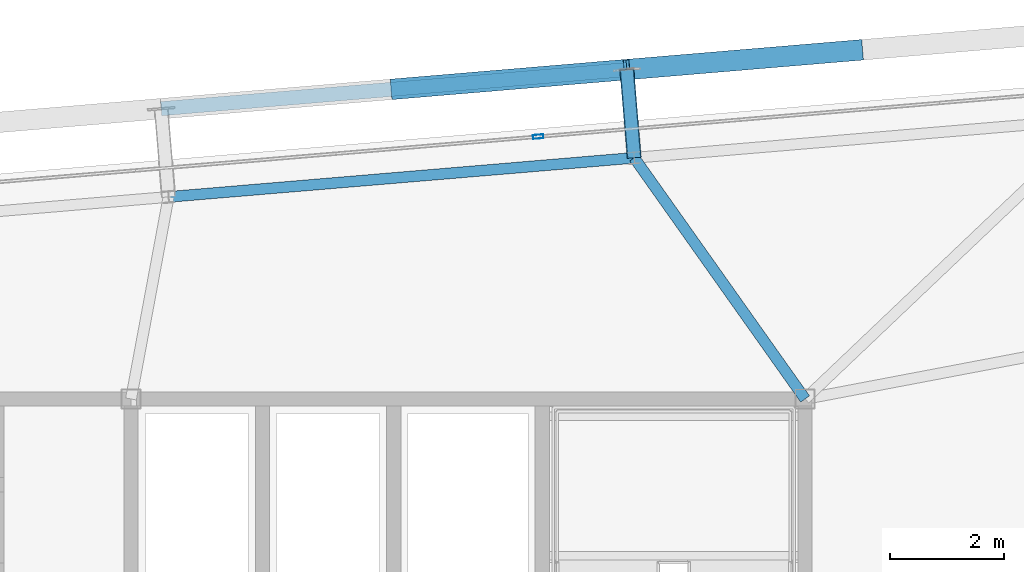
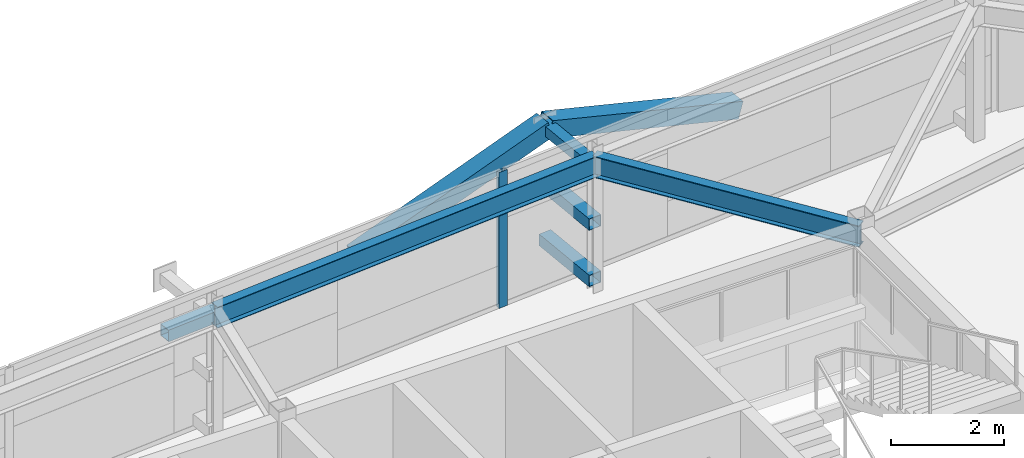
# One storey, part 24 of 37: 7 members, 2 beams, 1 element without a shape of its own.
"""IFC4 building model written with IfcOpenShell, lengths in metres."""

from ifc_helpers import new_model, si_unit, direction, frame, origin, origin_2d, place, context, subcontext, project, spatial, hollow_rectangle, i_section, extrude, source, transform, mapped, material, layer, layer_set, material_profile, profile_set, type_object, element, aggregate, save


model = new_model("IFC4")

# Units and contexts
model_context = context("Model", 3, precision=1e-05, world=origin(), true_north=direction((0.0, 1.0)))
body_context = subcontext(model_context, "Body", "Model", "MODEL_VIEW")
ifc_project = project(units=[si_unit("LENGTHUNIT", "METRE"), si_unit("AREAUNIT", "SQUARE_METRE"), si_unit("VOLUMEUNIT", "CUBIC_METRE"), si_unit("PLANEANGLEUNIT", "RADIAN"), si_unit("MASSUNIT", "GRAM", prefix="KILO")], contexts=[model_context])

# Site, building, storey
site_placement = place(None, origin())
site = spatial("IfcSite", under=ifc_project, at=site_placement, CompositionType="ELEMENT")
building_placement = place(site_placement, origin())
building = spatial("IfcBuilding", under=site, at=building_placement, Name="Taldren Reach Tower", CompositionType="ELEMENT")
storey_placement = place(building_placement, frame((0.0, 0.0, 200.89990234375)))
storey = spatial("IfcBuildingStorey", under=building, at=storey_placement, Name="L61", CompositionType="ELEMENT", Elevation=200.89990234375)

# Members
ifc_material_1 = material(Name="Steel Gr 350 (C350L0)", Category="steel")
ifc_material_profile_1 = material_profile(ifc_material_1, hollow_rectangle(XDim=0.25, YDim=0.25, WallThickness=0.010009765625, at=origin_2d()), Name="250x250x10.0SHS")
ifc_profile_set_1 = profile_set([ifc_material_profile_1], Name="Steel Gr 350 (C350L0)")
member_type_1 = type_object("IfcMemberType", Name="MB-POST250", PredefinedType="POST", material=ifc_profile_set_1)
shared_shape_1 = source(origin(), body_context, "Body", "SweptSolid", [
    extrude(hollow_rectangle(XDim=0.25, YDim=0.25, WallThickness=0.010009765625, at=origin_2d()), origin(), (0.0, 0.0, 1.0), 1.550048828125),
])
for number, where, z_axis, x_axis, name in (
    (1, (48.009033203125, 36.221435546875, 0.22021484375), (-0.083632013783, 0.996496706603, 0.0), (-0.996496706603, -0.083632013783, 0.0), "Exoskeleton base diaphragm tie strut B4-N5 L61"),
    (2, (48.009033203125, 36.221435546875, 1.43505859375), (-0.083632013783, 0.996496706603, 0.0), (-0.996496706603, -0.083632013783, 0.0), "Exoskeleton mid-tier diaphragm tie B4-N5 L61"),
):
    element("IfcMember", number, at=place(storey_placement, frame(where, z_axis=z_axis, x_axis=x_axis)), inside=storey, type_object=member_type_1, Name=name, PredefinedType="POST", context=body_context, shape_type="MappedRepresentation", body=[
        mapped(shared_shape_1, transform((0.0, 0.0, 0.0), scale=1.0)),
    ])

# Beams
ifc_material_2 = material(Name="Steel Gr 350 (350PLUS)", Category="steel")
ifc_material_profile_2 = material_profile(ifc_material_2, i_section(OverallWidth=0.18994140625, OverallDepth=0.4541015625, WebThickness=0.008544921875, FlangeThickness=0.0126953125, at=origin_2d()), Name="460UB67.1")
ifc_profile_set_2 = profile_set([ifc_material_profile_2], Name="Steel Gr 350 (350PLUS)")
beam_type_1 = type_object("IfcBeamType", Name="SP-UB460B", PredefinedType="SPANDREL", material=ifc_profile_set_2)
shared_shape_2 = source(origin(), body_context, "Body", "SweptSolid", [
    extrude(i_section(OverallWidth=0.18994140625, OverallDepth=0.4541015625, WebThickness=0.008544921875, FlangeThickness=0.0126953125, at=origin_2d()), origin(), (0.0, 0.0, 1.0), 8.179931640625),
])
beam_1_placement = place(storey_placement, frame((48.009033203125, 36.221435546875, 2.703125), z_axis=(-0.996494523218, -0.083658025296, 0.0), x_axis=(0.083658025296, -0.996494523218, 0.0)))
element("IfcBeam", 3, at=beam_1_placement, inside=storey, type_object=beam_type_1, Name="Perimeter spandrel B4 N5-N4 L61", PredefinedType="SPANDREL", context=body_context, shape_type="MappedRepresentation", body=[
    mapped(shared_shape_2, transform((0.0, 0.0, 0.0), scale=1.0)),
])
ifc_material_profile_3 = material_profile(ifc_material_2, i_section(OverallWidth=0.19091796875, OverallDepth=0.4599609375, WebThickness=0.010009765625, FlangeThickness=0.01611328125, at=origin_2d()), Name="460UB82.1")
ifc_profile_set_3 = profile_set([ifc_material_profile_3], Name="Steel Gr 350 (350PLUS)")
beam_type_2 = type_object("IfcBeamType", Name="BM-UB460A", PredefinedType="BEAM", material=ifc_profile_set_3)
shared_shape_3 = source(origin(), body_context, "Body", "SweptSolid", [
    extrude(i_section(OverallWidth=0.19091796875, OverallDepth=0.4599609375, WebThickness=0.010009765625, FlangeThickness=0.01611328125, at=origin_2d()), origin(), (0.0, 0.0, 1.0), 5.173583984375),
])
beam_2_placement = place(storey_placement, frame((51.0, 32.0, 2.7001953125), z_axis=(-0.578118152709, 0.8159530633, 0.0), x_axis=(-0.8159530633, -0.578118152709, 0.0)))
element("IfcBeam", 4, at=beam_2_placement, inside=storey, type_object=beam_type_2, Name="Primary floor girder B4-N5 L61", PredefinedType="BEAM", context=body_context, shape_type="MappedRepresentation", body=[
    mapped(shared_shape_3, transform((0.0, 0.0, 0.0), scale=1.0)),
])

# Members
ifc_material_3 = material(Name="Steel Gr 450 (C450L0)", Category="steel")
ifc_material_profile_4 = material_profile(ifc_material_3, hollow_rectangle(XDim=0.219970703125, YDim=0.219970703125, WallThickness=0.00830078125, at=origin_2d()), Name="220x220x8.2SHS")
ifc_profile_set_4 = profile_set([ifc_material_profile_4], Name="Steel Gr 450 (C450L0)")
member_type_2 = type_object("IfcMemberType", Name="MB-TIE219", PredefinedType="STRUT", material=ifc_profile_set_4)
shared_shape_4 = source(origin(), body_context, "Body", "SweptSolid", [
    extrude(hollow_rectangle(XDim=0.219970703125, YDim=0.219970703125, WallThickness=0.00830078125, at=origin_2d()), origin(), (0.0, 0.0, 1.0), 1.550048828125),
])
member_1_placement = place(storey_placement, frame((48.009033203125, 36.221435546875, 2.650146484375), z_axis=(-0.083632013783, 0.996496706603, 0.0), x_axis=(-0.996496706603, -0.083632013783, 0.0)))
element("IfcMember", 5, at=member_1_placement, inside=storey, type_object=member_type_2, Name="Exoskeleton diaphragm tie strut B4-N5 L61", PredefinedType="STRUT", context=body_context, shape_type="MappedRepresentation", body=[
    mapped(shared_shape_4, transform((0.0, 0.0, 0.0), scale=1.0)),
])
shared_shape_5 = source(origin(), body_context, "Body", "SweptSolid", [
    extrude(hollow_rectangle(XDim=0.25, YDim=0.25, WallThickness=0.010009765625, at=origin_2d()), origin(), (0.0, 0.0, 1.0), 8.18017578125),
])
member_2_placement = place(storey_placement, frame((39.72802734375, 37.08154296875, 1.43505859375), z_axis=(0.996492034688, 0.083687662192, 0.0), x_axis=(-0.083687662192, 0.996492034688, 0.0)))
element("IfcMember", 6, at=member_2_placement, inside=storey, type_object=member_type_1, Name="Exoskeleton mid-height ring chord B4-N4 L61", PredefinedType="POST", context=body_context, shape_type="MappedRepresentation", body=[
    mapped(shared_shape_5, transform((0.0, 0.0, 0.0), scale=1.0)),
])
ifc_material_profile_5 = material_profile(ifc_material_3, hollow_rectangle(XDim=0.360107421875, YDim=0.360107421875, WallThickness=0.0126953125, at=origin_2d()), Name="360x360x12.7SHS")
ifc_profile_set_5 = profile_set([ifc_material_profile_5], Name="Steel Gr 450 (C450L0)")
member_type_3 = type_object("IfcMemberType", Name="MB-EXO356", PredefinedType="BRACE", material=ifc_profile_set_5)
shared_shape_6 = source(origin(), body_context, "Body", "SweptSolid", [
    extrude(hollow_rectangle(XDim=0.360107421875, YDim=0.360107421875, WallThickness=0.0126953125, at=origin_2d()), origin(), (0.0, 0.0, 1.0), 4.2666015625),
])
for number, where, z_axis, x_axis, name in (
    (7, (43.8037109375, 37.423828125, 1.43505859375), (0.955229159097, 0.080222312271, 0.284783486572), (-0.083687662192, 0.996492034688, 0.0), "Exoskeleton Diagrid Brace B4-N4 L61"),
    (8, (51.955078125, 38.1083984375, 1.43505859375), (-0.955229159097, -0.080222312271, 0.284783486572), (0.083687662192, -0.996492034688, 0.0), "Exoskeleton Diagrid Brace B4-N5 L61"),
):
    element("IfcMember", number, at=place(storey_placement, frame(where, z_axis=z_axis, x_axis=x_axis)), inside=storey, type_object=member_type_3, Name=name, PredefinedType="BRACE", context=body_context, shape_type="MappedRepresentation", body=[
        mapped(shared_shape_6, transform((0.0, 0.0, 0.0), scale=1.0)),
    ])

# Curtain wall, member
ifc_material_4 = material(Name="Aluminium and Low-E Glass Unitised System", Category="aluminium")
ifc_layer = layer(ifc_material_4, 0.159912109375)
ifc_layer_set = layer_set([ifc_layer], Name="Aluminium and Low-E Glass Unitised System")
curtain_wall_type = type_object("IfcCurtainWallType", Name="CW-SYS-5", PredefinedType="NOTDEFINED", material=ifc_layer_set)
curtain_wall_placement = place(storey_placement, origin())
curtain_wall = element("IfcCurtainWall", 9, at=curtain_wall_placement, inside=storey, type_object=curtain_wall_type, Name="Unitised curtain wall CW-L61-N", PredefinedType="NOTDEFINED")
ifc_material_5 = material(Name="Anodised Aluminium 6063-T6", Category="aluminium")
ifc_material_profile_6 = material_profile(ifc_material_5, hollow_rectangle(XDim=0.070068359375, YDim=0.179931640625, WallThickness=0.00390625, at=origin_2d()), Name="ALU-180x70x4RHS")
ifc_profile_set_6 = profile_set([ifc_material_profile_6], Name="Anodised Aluminium 6063-T6")
member_type_4 = type_object("IfcMemberType", Name="CW-MUL-180", PredefinedType="MULLION", material=ifc_profile_set_6)
shared_shape_7 = source(origin(), body_context, "Body", "SweptSolid", [
    extrude(hollow_rectangle(XDim=0.070068359375, YDim=0.179931640625, WallThickness=0.00390625, at=origin_2d()), origin(), (0.0, 0.0, 1.0), 2.93017578125),
])
member_3_placement = place(storey_placement, frame((46.3271484375, 36.592041015625, 0.0), z_axis=(0.0, 0.0, 1.0), x_axis=(0.083677875247, -0.99649285657, 0.0)))
member_3 = element("IfcMember", 10, at=member_3_placement, type_object=member_type_4, Name="CW-5 mullion 2", PredefinedType="MULLION", context=body_context, shape_type="MappedRepresentation", body=[
    mapped(shared_shape_7, transform((0.0, 0.0, 0.0), scale=1.0)),
])
aggregate(curtain_wall, [member_3])

save(model, "model.ifc")
